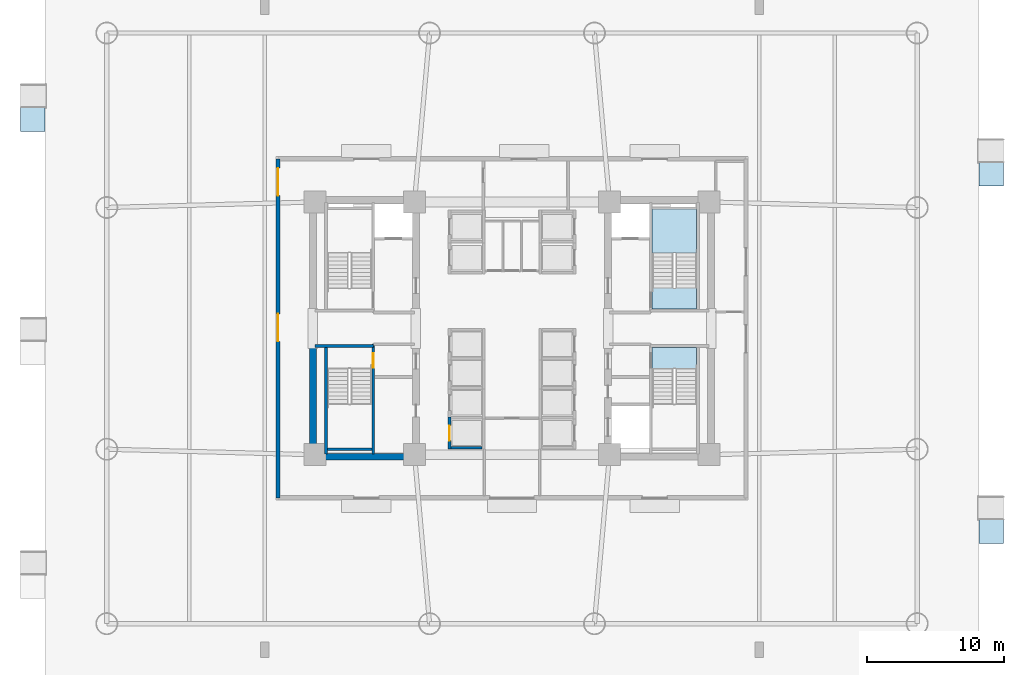
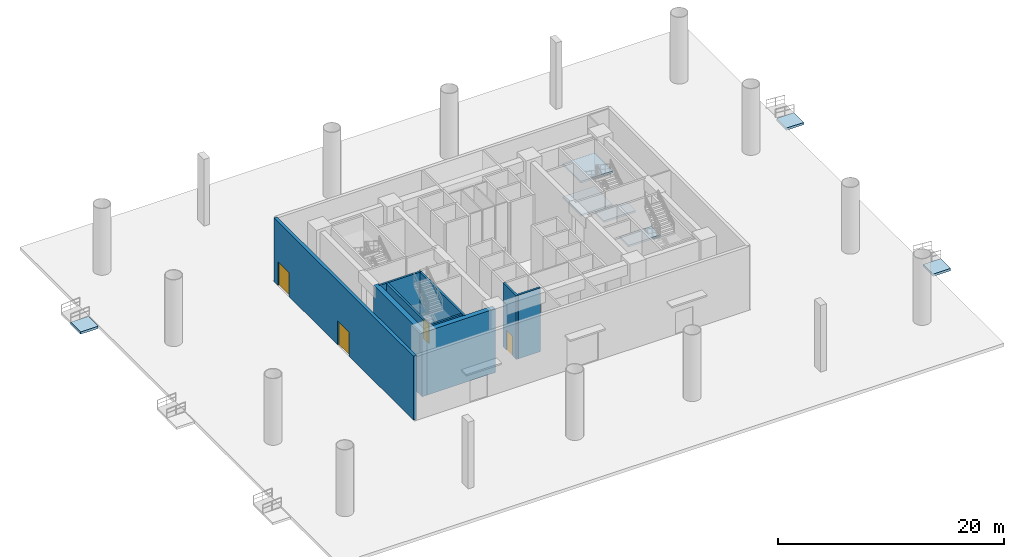
# One storey, part 2 of 10: 9 walls, 7 slabs, 4 doors, 4 openings, 5 elements without a shape of their own.
"""IFC4 building model written with IfcOpenShell, lengths in metres."""

from ifc_helpers import new_model, si_unit, direction, frame, frame_2d, origin, place, context, subcontext, project, spatial, polyline, rectangle, outline, extrude, source, transform, mapped, material, layer, layer_set, type_object, element, fill, aggregate, save


model = new_model("IFC4")

# Units and contexts
model_context = context("Model", 3, precision=1e-05, world=origin(), true_north=direction((0.0, 1.0)))
body_context = subcontext(model_context, "Body", "Model", "MODEL_VIEW")
ifc_project = project(units=[si_unit("LENGTHUNIT", "METRE"), si_unit("AREAUNIT", "SQUARE_METRE"), si_unit("VOLUMEUNIT", "CUBIC_METRE"), si_unit("PLANEANGLEUNIT", "RADIAN"), si_unit("MASSUNIT", "GRAM", prefix="KILO")], contexts=[model_context])

# Site, building, storey
site_placement = place(None, origin())
site = spatial("IfcSite", under=ifc_project, at=site_placement, CompositionType="ELEMENT")
building_placement = place(site_placement, origin())
building = spatial("IfcBuilding", under=site, at=building_placement, Name="Zahravan Cultural Tower", CompositionType="ELEMENT")
storey_placement = place(building_placement, origin())
storey = spatial("IfcBuildingStorey", under=building, at=storey_placement, Name="L00", CompositionType="ELEMENT", Elevation=0.0)

# Ramp, slab
ifc_material_1 = material(Name="Concrete C45/55", Category="concrete")
ramp_type = type_object("IfcRampType", Name="RMP-ACCESS-1800", PredefinedType="STRAIGHT_RUN_RAMP", material=ifc_material_1)
ramp_1_placement = place(storey_placement, origin())
ramp_1 = element("IfcRamp", 1, at=ramp_1_placement, inside=storey, type_object=ramp_type, Name="L00 Accessible Boulevard Ramp RMP-03", PredefinedType="STRAIGHT_RUN_RAMP")
ifc_layer_1 = layer(ifc_material_1, 0.25)
ifc_layer_set_1 = layer_set([ifc_layer_1], Name="Concrete C45/55")
slab_type_1 = type_object("IfcSlabType", Name="SL-RMP-LANDING", PredefinedType="LANDING", material=ifc_layer_set_1)
slab_1_placement = place(storey_placement, frame((0.0, 0.0, -0.389892578125)))
slab_1 = element("IfcSlab", 2, at=slab_1_placement, type_object=slab_type_1, Name="RMP-03 Bottom Approach Landing", PredefinedType="LANDING", context=body_context, shape_type="SweptSolid", body=[
    extrude(outline(polyline([(2.0, 41.35009765625), (2.0, 43.10009765625), (0.199951171875, 43.10009765625), (0.199951171875, 41.35009765625), (2.0, 41.35009765625)])), origin(), (0.0, 0.0, 1.0), 0.25),
])
aggregate(ramp_1, [slab_1])

ramp_2_placement = place(storey_placement, origin())
ramp_2 = element("IfcRamp", 3, at=ramp_2_placement, inside=storey, type_object=ramp_type, Name="L00 Accessible Boulevard Ramp RMP-04", PredefinedType="STRAIGHT_RUN_RAMP")
slab_2_placement = place(storey_placement, frame((0.0, 0.0, -0.389892578125)))
slab_2 = element("IfcSlab", 4, at=slab_2_placement, type_object=slab_type_1, Name="RMP-04 Bottom Approach Landing", PredefinedType="LANDING", context=body_context, shape_type="SweptSolid", body=[
    extrude(outline(polyline([(71.800048828125, 11.35009765625), (71.800048828125, 13.10009765625), (70.0, 13.10009765625), (70.0, 11.35009765625), (71.800048828125, 11.35009765625)])), origin(), (0.0, 0.0, 1.0), 0.25),
])
aggregate(ramp_2, [slab_2])

ramp_3_placement = place(storey_placement, origin())
ramp_3 = element("IfcRamp", 5, at=ramp_3_placement, inside=storey, type_object=ramp_type, Name="L00 Accessible Boulevard Ramp RMP-05", PredefinedType="STRAIGHT_RUN_RAMP")
slab_3_placement = place(storey_placement, frame((0.0, 0.0, -0.389892578125)))
slab_3 = element("IfcSlab", 6, at=slab_3_placement, type_object=slab_type_1, Name="RMP-05 Bottom Approach Landing", PredefinedType="LANDING", context=body_context, shape_type="SweptSolid", body=[
    extrude(outline(polyline([(71.800048828125, 37.35009765625), (71.800048828125, 39.10009765625), (70.0, 39.10009765625), (70.0, 37.35009765625), (71.800048828125, 37.35009765625)])), origin(), (0.0, 0.0, 1.0), 0.25),
])
aggregate(ramp_3, [slab_3])

# Stair, slabs
stair_type = type_object("IfcStairType", Name="STR-DL-1550-720", PredefinedType="HALF_TURN_STAIR", material=ifc_material_1)
stair_1_placement = place(storey_placement, origin())
stair_1 = element("IfcStair", 7, at=stair_1_placement, inside=storey, type_object=stair_type, Name="L00 East Core North Exit Stair ST-E1", PredefinedType="HALF_TURN_STAIR")
ifc_layer_2 = layer(ifc_material_1, 0.199951171875)
ifc_layer_set_2 = layer_set([ifc_layer_2], Name="Concrete C45/55")
slab_type_2 = type_object("IfcSlabType", Name="SL-STAIR-LND200", PredefinedType="LANDING", material=ifc_layer_set_2)
slab_4_placement = place(storey_placement, frame((0.0, 0.0, 1.60009765625)))
slab_4 = element("IfcSlab", 8, at=slab_4_placement, type_object=slab_type_2, Name="ST-E1 landing 1", PredefinedType="LANDING", context=body_context, shape_type="SweptSolid", body=[
    extrude(outline(polyline([(49.449951171875, 32.469970703125), (49.449951171875, 35.699951171875), (46.199951171875, 35.699951171875), (46.199951171875, 32.469970703125), (49.449951171875, 32.469970703125)])), origin(), (0.0, 0.0, 1.0), 0.199951171875),
])
slab_5_placement = place(storey_placement, frame((0.0, 0.0, 3.39990234375)))
slab_5 = element("IfcSlab", 9, at=slab_5_placement, type_object=slab_type_2, Name="ST-E1 landing 2", PredefinedType="LANDING", context=body_context, shape_type="SweptSolid", body=[
    extrude(outline(polyline([(49.449951171875, 28.39990234375), (49.449951171875, 29.949951171875), (46.199951171875, 29.949951171875), (46.199951171875, 28.39990234375), (49.449951171875, 28.39990234375)])), origin(), (0.0, 0.0, 1.0), 0.2001953125),
])
slab_6_placement = place(storey_placement, frame((0.0, 0.0, 5.199951171875)))
slab_6 = element("IfcSlab", 10, at=slab_6_placement, type_object=slab_type_2, Name="ST-E1 landing 3", PredefinedType="LANDING", context=body_context, shape_type="SweptSolid", body=[
    extrude(outline(polyline([(49.449951171875, 32.469970703125), (49.449951171875, 35.699951171875), (46.199951171875, 35.699951171875), (46.199951171875, 32.469970703125), (49.449951171875, 32.469970703125)])), origin(), (0.0, 0.0, 1.0), 0.199951171875),
])
aggregate(stair_1, [slab_4, slab_5, slab_6])

# Stair, slab
stair_2_placement = place(storey_placement, origin())
stair_2 = element("IfcStair", 11, at=stair_2_placement, inside=storey, type_object=stair_type, Name="L00 East Core South Exit Stair ST-E2", PredefinedType="HALF_TURN_STAIR")
slab_7_placement = place(storey_placement, frame((0.0, 0.0, 3.39990234375)))
slab_7 = element("IfcSlab", 12, at=slab_7_placement, type_object=slab_type_2, Name="ST-E2 landing 2", PredefinedType="LANDING", context=body_context, shape_type="SweptSolid", body=[
    extrude(outline(polyline([(46.199951171875, 25.60009765625), (46.199951171875, 24.050048828125), (49.449951171875, 24.050048828125), (49.449951171875, 25.60009765625), (46.199951171875, 25.60009765625)])), origin(), (0.0, 0.0, 1.0), 0.2001953125),
])
aggregate(stair_2, [slab_7])

# Wall, openings, doors
ifc_material_2 = material(Name="Precast concrete C40/50", Category="concrete")
ifc_layer_3 = layer(ifc_material_2, 0.320068359375)
ifc_layer_set_3 = layer_set([ifc_layer_3], Name="Precast concrete C40/50")
wall_type_1 = type_object("IfcWallType", Name="EW-TC-320", PredefinedType="SOLIDWALL", material=ifc_layer_set_3)
wall_1_placement = place(storey_placement, frame((18.9599609375, 14.659912109375, 0.0), z_axis=(0.0, 0.0, 1.0), x_axis=(0.0, 1.0, 0.0)))
wall_1 = element("IfcWall", 13, at=wall_1_placement, inside=storey, type_object=wall_type_1, Name="L00 Foyer Exterior Wall EW-L00-W", PredefinedType="SOLIDWALL", context=body_context, shape_type="SweptSolid", body=[
    extrude(rectangle(XDim=24.68017578125, YDim=0.320068359375, at=frame_2d((12.340087890625, 0.0))), origin(), (0.0, 0.0, 1.0), 6.89990234375),
])
opening_1_placement = place(wall_1_placement, frame((11.39990234375, 0.0, 0.0)))
opening_1 = element("IfcOpeningElement", 14, at=opening_1_placement, cuts=wall_1, Name="Opening D-EX03", PredefinedType="OPENING", context=body_context, shape_type="SweptSolid", body=[
    extrude(rectangle(XDim=2.0, YDim=2.60009765625, at=frame_2d((1.0, 1.300048828125))), frame((0.0, 0.169921875, 0.0), z_axis=(0.0, -1.0, 0.0), x_axis=(1.0, 0.0, 0.0)), (0.0, 0.0, 1.0), 0.340087890625),
])
opening_2_placement = place(wall_1_placement, frame((22.0, 0.0, 0.0)))
opening_2 = element("IfcOpeningElement", 15, at=opening_2_placement, cuts=wall_1, Name="Opening D-EX04", PredefinedType="OPENING", context=body_context, shape_type="SweptSolid", body=[
    extrude(rectangle(XDim=2.0, YDim=2.60009765625, at=frame_2d((1.0, 1.300048828125))), frame((0.0, 0.169921875, 0.0), z_axis=(0.0, -1.0, 0.0), x_axis=(1.0, 0.0, 0.0)), (0.0, 0.0, 1.0), 0.340087890625),
])
ifc_material_3 = material(Name="Anodised bronze-aluminium mullion", Category="aluminium")
door_type_1 = type_object("IfcDoorType", Name="DR-FOYER-2000", OperationType="DOUBLE_DOOR_SINGLE_SWING", PredefinedType="DOOR", material=ifc_material_3)
shared_shape_1 = source(origin(), body_context, "Body", "SweptSolid", [
    extrude(rectangle(XDim=2.0, YDim=2.60009765625, at=frame_2d((1.0, 1.300048828125))), frame((0.0, 0.02490234375, 0.0), z_axis=(0.0, -1.0, 0.0), x_axis=(1.0, 0.0, 0.0)), (0.0, 0.0, 1.0), 0.050048828125),
])
door_1_placement = place(opening_1_placement, origin())
door_1 = element("IfcDoor", 16, at=door_1_placement, inside=storey, type_object=door_type_1, Name="L00 Exterior Door D-EX03", OperationType="DOUBLE_DOOR_SINGLE_SWING", OverallHeight=2.60009765625, OverallWidth=2.0, PredefinedType="DOOR", context=body_context, shape_type="MappedRepresentation", body=[
    mapped(shared_shape_1, transform((0.0, 0.0, 0.0), x_axis=(1.0, 0.0, 0.0), y_axis=(0.0, 1.0, 0.0), z_axis=(0.0, 0.0, 1.0), scale=1.0)),
])
fill(opening_1, door_1)
door_2_placement = place(opening_2_placement, origin())
door_2 = element("IfcDoor", 17, at=door_2_placement, inside=storey, type_object=door_type_1, Name="L00 Exterior Door D-EX04", OperationType="DOUBLE_DOOR_SINGLE_SWING", OverallHeight=2.60009765625, OverallWidth=2.0, PredefinedType="DOOR", context=body_context, shape_type="MappedRepresentation", body=[
    mapped(shared_shape_1, transform((0.0, 0.0, 0.0), x_axis=(1.0, 0.0, 0.0), y_axis=(0.0, 1.0, 0.0), z_axis=(0.0, 0.0, 1.0), scale=1.0)),
])
fill(opening_2, door_2)

# Wall, opening, door
ifc_layer_4 = layer(ifc_material_1, 0.199951171875)
ifc_layer_set_4 = layer_set([ifc_layer_4], Name="Concrete C45/55")
wall_type_2 = type_object("IfcWallType", Name="W-SHAFT-200", PredefinedType="SOLIDWALL", material=ifc_layer_set_4)
wall_2_placement = place(storey_placement, frame((25.89990234375, 17.85009765625, 0.0), z_axis=(0.0, 0.0, 1.0), x_axis=(0.0, 1.0, 0.0)))
wall_2 = element("IfcWall", 18, at=wall_2_placement, inside=storey, type_object=wall_type_2, Name="L00 Interior Wall 005", PredefinedType="SOLIDWALL", context=body_context, shape_type="SweptSolid", body=[
    extrude(rectangle(XDim=8.0, YDim=0.199951171875, at=frame_2d((4.0, 0.0))), origin(), (0.0, 0.0, 1.0), 6.89990234375),
])
opening_3_placement = place(wall_2_placement, frame((6.300048828125, 0.0, 0.0)))
opening_3 = element("IfcOpeningElement", 19, at=opening_3_placement, cuts=wall_2, Name="Opening D-L00-04", PredefinedType="OPENING", context=body_context, shape_type="SweptSolid", body=[
    extrude(rectangle(XDim=1.050048828125, YDim=2.14990234375, at=frame_2d((0.52490234375, 1.074951171875))), frame((0.0, 0.10986328125, 0.0), z_axis=(0.0, -1.0, 0.0), x_axis=(1.0, 0.0, 0.0)), (0.0, 0.0, 1.0), 0.219970703125),
])
ifc_material_4 = material(Name="Steel ASTM A572 Grade 50", Category="steel")
door_type_2 = type_object("IfcDoorType", Name="DR-STAIR-1050", OperationType="NOTDEFINED", PredefinedType="DOOR", material=ifc_material_4)
shared_shape_2 = source(origin(), body_context, "Body", "SweptSolid", [
    extrude(rectangle(XDim=1.050048828125, YDim=2.14990234375, at=frame_2d((0.52490234375, 1.074951171875))), frame((0.0, 0.02490234375, 0.0), z_axis=(0.0, -1.0, 0.0), x_axis=(1.0, 0.0, 0.0)), (0.0, 0.0, 1.0), 0.050048828125),
])
door_3_placement = place(opening_3_placement, origin())
door_3 = element("IfcDoor", 20, at=door_3_placement, inside=storey, type_object=door_type_2, Name="L00 Door D-L00-04", OperationType="SINGLE_SWING_RIGHT", OverallHeight=2.14990234375, OverallWidth=1.050048828125, PredefinedType="DOOR", context=body_context, shape_type="MappedRepresentation", body=[
    mapped(shared_shape_2, transform((0.0, 0.0, 0.0), x_axis=(1.0, 0.0, 0.0), y_axis=(0.0, 1.0, 0.0), z_axis=(0.0, 0.0, 1.0), scale=1.0)),
])
fill(opening_3, door_3)

wall_3_placement = place(storey_placement, frame((31.449951171875, 18.199951171875, 0.0), z_axis=(0.0, 0.0, 1.0), x_axis=(0.0, 1.0, 0.0)))
wall_3 = element("IfcWall", 21, at=wall_3_placement, inside=storey, type_object=wall_type_2, Name="L00 Interior Wall 044", PredefinedType="SOLIDWALL", context=body_context, shape_type="SweptSolid", body=[
    extrude(rectangle(XDim=2.35009765625, YDim=0.199951171875, at=frame_2d((1.175048828125, 0.0))), origin(), (0.0, 0.0, 1.0), 6.89990234375),
])
opening_4_placement = place(wall_3_placement, frame((0.625, 0.0, 0.0)))
opening_4 = element("IfcOpeningElement", 22, at=opening_4_placement, cuts=wall_3, Name="Opening LD-L00-09", PredefinedType="OPENING", context=body_context, shape_type="SweptSolid", body=[
    extrude(rectangle(XDim=1.10009765625, YDim=2.14990234375, at=frame_2d((0.550048828125, 1.074951171875))), frame((0.0, 0.10986328125, 0.0), z_axis=(0.0, -1.0, 0.0), x_axis=(1.0, 0.0, 0.0)), (0.0, 0.0, 1.0), 0.219970703125),
])
door_type_3 = type_object("IfcDoorType", Name="DR-LIFT-1100", OperationType="DOUBLE_DOOR_SLIDING", PredefinedType="DOOR", material=ifc_material_4)
shared_shape_3 = source(origin(), body_context, "Body", "SweptSolid", [
    extrude(rectangle(XDim=1.10009765625, YDim=2.14990234375, at=frame_2d((0.550048828125, 1.074951171875))), frame((0.0, 0.02490234375, 0.0), z_axis=(0.0, -1.0, 0.0), x_axis=(1.0, 0.0, 0.0)), (0.0, 0.0, 1.0), 0.050048828125),
])
door_4_placement = place(opening_4_placement, origin())
door_4 = element("IfcDoor", 23, at=door_4_placement, inside=storey, type_object=door_type_3, Name="L00 Door LD-L00-09", OperationType="DOUBLE_DOOR_SLIDING", OverallHeight=2.14990234375, OverallWidth=1.10009765625, PredefinedType="DOOR", context=body_context, shape_type="MappedRepresentation", body=[
    mapped(shared_shape_3, transform((0.0, 0.0, 0.0), x_axis=(1.0, 0.0, 0.0), y_axis=(0.0, 1.0, 0.0), z_axis=(0.0, 0.0, 1.0), scale=1.0)),
])
fill(opening_4, door_4)

# Walls
ifc_material_5 = material(Name="Concrete C60/75", Category="concrete")
ifc_layer_5 = layer(ifc_material_5, 0.5)
ifc_layer_set_5 = layer_set([ifc_layer_5], Name="Concrete C60/75")
wall_type_3 = type_object("IfcWallType", Name="CW-SHEAR-500-C60", PredefinedType="SHEAR", material=ifc_layer_set_5)
shared_shape_4 = source(origin(), body_context, "Body", "SweptSolid", [
    extrude(rectangle(XDim=8.550048828125, YDim=0.5, at=frame_2d((4.27490234375, 0.0))), origin(), (0.0, 0.0, 1.0), 6.89990234375),
])
wall_4_placement = place(storey_placement, frame((21.5, 17.39990234375, 0.0), z_axis=(0.0, 0.0, 1.0), x_axis=(0.0, 1.0, 0.0)))
element("IfcWall", 24, at=wall_4_placement, inside=storey, type_object=wall_type_3, Name="L00 Core Shear Wall CW-W-WS-L00", PredefinedType="SHEAR", context=body_context, shape_type="MappedRepresentation", body=[
    mapped(shared_shape_4, transform((0.0, 0.0, 0.0), x_axis=(1.0, 0.0, 0.0), y_axis=(0.0, 1.0, 0.0), z_axis=(0.0, 0.0, 1.0), scale=1.0)),
])
shared_shape_5 = source(origin(), body_context, "Body", "SweptSolid", [
    extrude(rectangle(XDim=7.0, YDim=0.5, at=frame_2d((3.5, 0.0))), origin(), (0.0, 0.0, 1.0), 6.89990234375),
])
wall_5_placement = place(storey_placement, frame((21.75, 17.64990234375, 0.0), z_axis=(0.0, 0.0, 1.0), x_axis=(1.0, 0.0, 0.0)))
element("IfcWall", 25, at=wall_5_placement, inside=storey, type_object=wall_type_3, Name="L00 Core Shear Wall CW-W-S-L00", PredefinedType="SHEAR", context=body_context, shape_type="MappedRepresentation", body=[
    mapped(shared_shape_5, transform((0.0, 0.0, 0.0), x_axis=(1.0, 0.0, 0.0), y_axis=(0.0, 1.0, 0.0), z_axis=(0.0, 0.0, 1.0), scale=1.0)),
])
shared_shape_6 = source(origin(), body_context, "Body", "SweptSolid", [
    extrude(rectangle(XDim=7.869873046875, YDim=0.199951171875, at=frame_2d((3.93505859375, 0.0))), origin(), (0.0, 0.0, 1.0), 6.89990234375),
])
wall_6_placement = place(storey_placement, frame((22.449951171875, 17.85009765625, 0.0), z_axis=(0.0, 0.0, 1.0), x_axis=(0.0, 1.0, 0.0)))
element("IfcWall", 26, at=wall_6_placement, inside=storey, type_object=wall_type_2, Name="L00 Interior Wall 001", PredefinedType="SOLIDWALL", context=body_context, shape_type="MappedRepresentation", body=[
    mapped(shared_shape_6, transform((0.0, 0.0, 0.0), x_axis=(1.0, 0.0, 0.0), y_axis=(0.0, 1.0, 0.0), z_axis=(0.0, 0.0, 1.0), scale=1.0)),
])
shared_shape_7 = source(origin(), body_context, "Body", "SweptSolid", [
    extrude(rectangle(XDim=4.25, YDim=0.199951171875, at=frame_2d((2.125, 0.0))), origin(), (0.0, 0.0, 1.0), 6.89990234375),
])
wall_7_placement = place(storey_placement, frame((21.64990234375, 25.715087890625, 0.0), z_axis=(0.0, 0.0, 1.0), x_axis=(1.0, 0.0, 0.0)))
element("IfcWall", 27, at=wall_7_placement, inside=storey, type_object=wall_type_2, Name="L00 Interior Wall 009", PredefinedType="SOLIDWALL", context=body_context, shape_type="MappedRepresentation", body=[
    mapped(shared_shape_7, transform((0.0, 0.0, 0.0), x_axis=(1.0, 0.0, 0.0), y_axis=(0.0, 1.0, 0.0), z_axis=(0.0, 0.0, 1.0), scale=1.0)),
])
shared_shape_8 = source(origin(), body_context, "Body", "SweptSolid", [
    extrude(rectangle(XDim=3.25, YDim=0.199951171875, at=frame_2d((1.625, 0.0))), origin(), (0.0, 0.0, 1.0), 6.89990234375),
])
wall_8_placement = place(storey_placement, frame((22.550048828125, 18.199951171875, 0.0), z_axis=(0.0, 0.0, 1.0), x_axis=(1.0, 0.0, 0.0)))
element("IfcWall", 28, at=wall_8_placement, inside=storey, type_object=wall_type_2, Name="L00 Interior Wall 019", PredefinedType="SOLIDWALL", context=body_context, shape_type="MappedRepresentation", body=[
    mapped(shared_shape_8, transform((0.0, 0.0, 0.0), x_axis=(1.0, 0.0, 0.0), y_axis=(0.0, 1.0, 0.0), z_axis=(0.0, 0.0, 1.0), scale=1.0)),
])
shared_shape_9 = source(origin(), body_context, "Body", "SweptSolid", [
    extrude(rectangle(XDim=2.260009765625, YDim=0.199951171875, at=frame_2d((1.1298828125, 0.0))), origin(), (0.0, 0.0, 1.0), 6.89990234375),
])
wall_9_placement = place(storey_placement, frame((31.570068359375, 18.300048828125, 0.0), z_axis=(0.0, 0.0, 1.0), x_axis=(1.0, 0.0, 0.0)))
element("IfcWall", 29, at=wall_9_placement, inside=storey, type_object=wall_type_2, Name="L00 Interior Wall 046", PredefinedType="SOLIDWALL", context=body_context, shape_type="MappedRepresentation", body=[
    mapped(shared_shape_9, transform((0.0, 0.0, 0.0), x_axis=(1.0, 0.0, 0.0), y_axis=(0.0, 1.0, 0.0), z_axis=(0.0, 0.0, 1.0), scale=1.0)),
])

save(model, "model.ifc")
